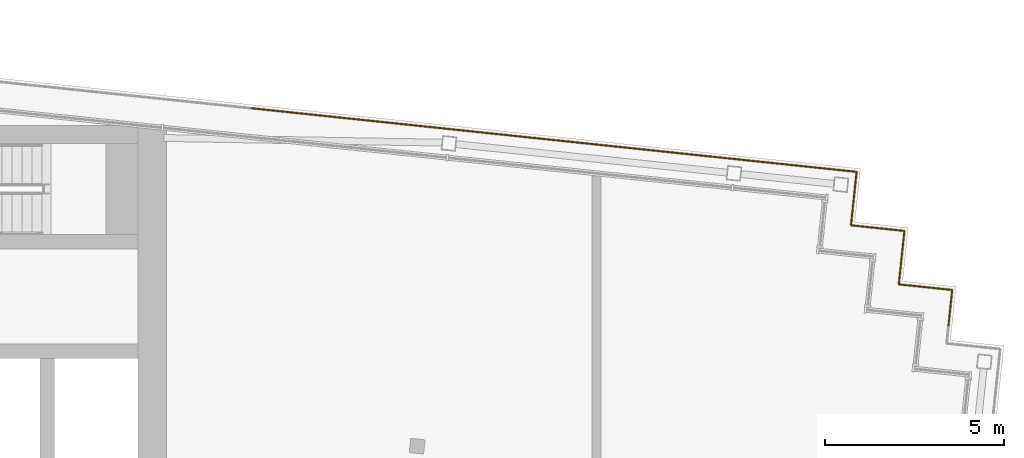
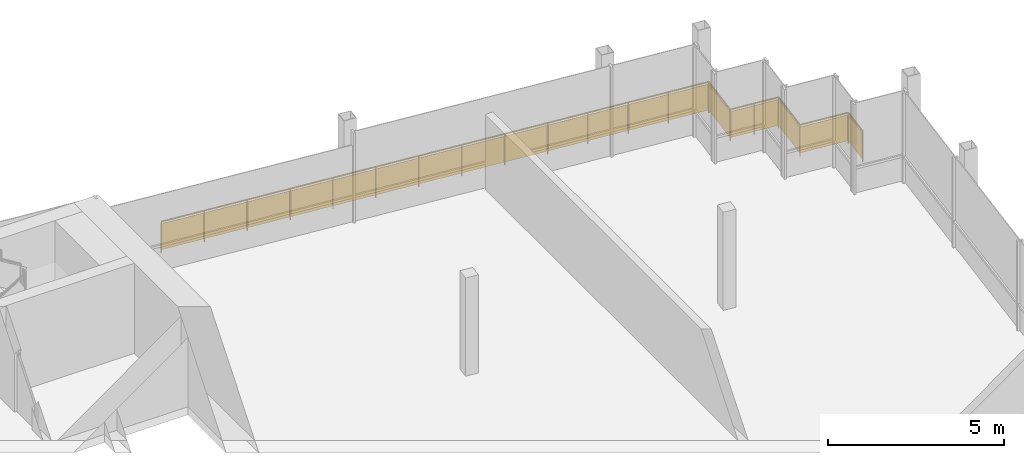
# One storey, part 15 of 15: 2 railings.
"""IFC4 building model written with IfcOpenShell, lengths in metres."""

from ifc_helpers import new_model, si_unit, direction, frame, origin, origin_2d, place, context, subcontext, project, spatial, rectangle, circle, extrude, material, type_object, element, save


model = new_model("IFC4")

# Units and contexts
model_context = context("Model", 3, precision=1e-05, world=origin(), true_north=direction((0.0, 1.0)))
body_context = subcontext(model_context, "Body", "Model", "MODEL_VIEW")
ifc_project = project(units=[si_unit("LENGTHUNIT", "METRE"), si_unit("AREAUNIT", "SQUARE_METRE"), si_unit("VOLUMEUNIT", "CUBIC_METRE"), si_unit("PLANEANGLEUNIT", "RADIAN"), si_unit("MASSUNIT", "GRAM", prefix="KILO")], contexts=[model_context])

# Site, building, storey
site_placement = place(None, origin())
site = spatial("IfcSite", under=ifc_project, at=site_placement, CompositionType="ELEMENT")
building_placement = place(site_placement, origin())
building = spatial("IfcBuilding", under=site, at=building_placement, Name="Vidyagriha Tower", CompositionType="ELEMENT")
storey_placement = place(building_placement, frame((0.0, 0.0, 291.5)))
storey = spatial("IfcBuildingStorey", under=building, at=storey_placement, Name="L75", CompositionType="ELEMENT", Elevation=291.5)

# Railings
ifc_material = material(Name="Steel ASTM A500 Grade C black painted", Category="steel")
railing_type = type_object("IfcRailingType", Name="Gallery guard 1100", PredefinedType="GUARDRAIL", material=ifc_material)
railing_1_placement = place(storey_placement, frame((12.3544921875, 20.481689453125, 0.0)))
element("IfcRailing", 1, at=railing_1_placement, inside=storey, type_object=railing_type, Name="Gallery guard L75 12", PredefinedType="GUARDRAIL", context=body_context, shape_type="SweptSolid", body=[
    extrude(circle(Radius=0.02490234375, at=origin_2d()), frame((0.0, 0.0, 1.0751953125), z_axis=(0.994521494219, -0.104532279878, 0.0), x_axis=(0.104532279878, 0.994521494219, 0.0)), (0.0, 0.0, 1.0), 12.0),
    extrude(circle(Radius=0.02001953125, at=origin_2d()), origin(), (0.0, 0.0, 1.0), 1.050048828125),
    extrude(circle(Radius=0.02001953125, at=origin_2d()), frame((1.325927734375, -0.139404296875, 0.0)), (0.0, 0.0, 1.0), 1.050048828125),
    extrude(circle(Radius=0.02001953125, at=origin_2d()), frame((2.652099609375, -0.27880859375, 0.0)), (0.0, 0.0, 1.0), 1.050048828125),
    extrude(circle(Radius=0.02001953125, at=origin_2d()), frame((3.97802734375, -0.418212890625, 0.0)), (0.0, 0.0, 1.0), 1.050048828125),
    extrude(circle(Radius=0.02001953125, at=origin_2d()), frame((5.30419921875, -0.5576171875, 0.0)), (0.0, 0.0, 1.0), 1.050048828125),
    extrude(circle(Radius=0.02001953125, at=origin_2d()), frame((6.630126953125, -0.69677734375, 0.0)), (0.0, 0.0, 1.0), 1.050048828125),
    extrude(circle(Radius=0.02001953125, at=origin_2d()), frame((7.956298828125, -0.836181640625, 0.0)), (0.0, 0.0, 1.0), 1.050048828125),
    extrude(circle(Radius=0.02001953125, at=origin_2d()), frame((9.2822265625, -0.9755859375, 0.0)), (0.0, 0.0, 1.0), 1.050048828125),
    extrude(circle(Radius=0.02001953125, at=origin_2d()), frame((10.6083984375, -1.114990234375, 0.0)), (0.0, 0.0, 1.0), 1.050048828125),
    extrude(circle(Radius=0.02001953125, at=origin_2d()), frame((11.934326171875, -1.25439453125, 0.0)), (0.0, 0.0, 1.0), 1.050048828125),
    extrude(rectangle(XDim=0.010009765625, YDim=0.900146484375, at=origin_2d()), frame((0.0, 0.0, 0.550048828125), z_axis=(0.994521494219, -0.104532279878, 0.0), x_axis=(0.104532279878, 0.994521494219, 0.0)), (0.0, 0.0, 1.0), 12.0),
])
railing_2_placement = place(storey_placement, frame((24.288818359375, 19.227294921875, 0.0)))
element("IfcRailing", 2, at=railing_2_placement, inside=storey, type_object=railing_type, Name="Gallery guard L75 13", PredefinedType="GUARDRAIL", context=body_context, shape_type="SweptSolid", body=[
    extrude(circle(Radius=0.02490234375, at=origin_2d()), frame((0.0, 0.0, 1.0751953125), z_axis=(0.994520692635, -0.104539905878, 0.0), x_axis=(0.104539905878, 0.994520692635, 0.0)), (0.0, 0.0, 1.0), 5.0),
    extrude(circle(Radius=0.02490234375, at=origin_2d()), frame((4.97265625, -0.522705078125, 1.0751953125), z_axis=(-0.104659366031, -0.994508128223, 0.0), x_axis=(0.994508128223, -0.104659366031, 0.0)), (0.0, 0.0, 1.0), 1.5),
    extrude(circle(Radius=0.02490234375, at=origin_2d()), frame((4.815673828125, -2.014404296875, 1.0751953125), z_axis=(0.994509910675, -0.104642427191, 0.0), x_axis=(0.104642427191, 0.994509910675, 0.0)), (0.0, 0.0, 1.0), 1.500244140625),
    extrude(circle(Radius=0.02490234375, at=origin_2d()), frame((6.3076171875, -2.17138671875, 1.0751953125), z_axis=(-0.104498377516, -0.994525057048, 0.0), x_axis=(0.994525057048, -0.104498377516, 0.0)), (0.0, 0.0, 1.0), 1.5),
    extrude(circle(Radius=0.02490234375, at=origin_2d()), frame((6.15087890625, -3.6630859375, 1.0751953125), z_axis=(0.994525057048, -0.104498377516, 0.0), x_axis=(0.104498377516, 0.994525057048, 0.0)), (0.0, 0.0, 1.0), 1.5),
    extrude(circle(Radius=0.02490234375, at=origin_2d()), frame((7.642578125, -3.81982421875, 1.0751953125), z_axis=(-0.104481464157, -0.994526834051, 0.0), x_axis=(0.994526834051, -0.104481464157, 0.0)), (0.0, 0.0, 1.0), 1.0),
    extrude(circle(Radius=0.02001953125, at=origin_2d()), origin(), (0.0, 0.0, 1.0), 1.050048828125),
    extrude(circle(Radius=0.02001953125, at=origin_2d()), frame((1.2431640625, -0.130615234375, 0.0)), (0.0, 0.0, 1.0), 1.050048828125),
    extrude(circle(Radius=0.02001953125, at=origin_2d()), frame((2.486328125, -0.26123046875, 0.0)), (0.0, 0.0, 1.0), 1.050048828125),
    extrude(circle(Radius=0.02001953125, at=origin_2d()), frame((3.7294921875, -0.39208984375, 0.0)), (0.0, 0.0, 1.0), 1.050048828125),
    extrude(circle(Radius=0.02001953125, at=origin_2d()), frame((4.97265625, -0.522705078125, 0.0)), (0.0, 0.0, 1.0), 1.050048828125),
    extrude(circle(Radius=0.02001953125, at=origin_2d()), frame((4.815673828125, -2.014404296875, 0.0)), (0.0, 0.0, 1.0), 1.050048828125),
    extrude(circle(Radius=0.02001953125, at=origin_2d()), frame((5.5615234375, -2.0927734375, 0.0)), (0.0, 0.0, 1.0), 1.050048828125),
    extrude(circle(Radius=0.02001953125, at=origin_2d()), frame((6.3076171875, -2.17138671875, 0.0)), (0.0, 0.0, 1.0), 1.050048828125),
    extrude(circle(Radius=0.02001953125, at=origin_2d()), frame((6.15087890625, -3.6630859375, 0.0)), (0.0, 0.0, 1.0), 1.050048828125),
    extrude(circle(Radius=0.02001953125, at=origin_2d()), frame((7.642578125, -3.81982421875, 0.0)), (0.0, 0.0, 1.0), 1.050048828125),
    extrude(circle(Radius=0.02001953125, at=origin_2d()), frame((7.5380859375, -4.814453125, 0.0)), (0.0, 0.0, 1.0), 1.050048828125),
    extrude(rectangle(XDim=0.010009765625, YDim=0.900146484375, at=origin_2d()), frame((0.0, 0.0, 0.550048828125), z_axis=(0.994520692635, -0.104539905878, 0.0), x_axis=(0.104539905878, 0.994520692635, 0.0)), (0.0, 0.0, 1.0), 5.0),
    extrude(rectangle(XDim=0.010009765625, YDim=0.900146484375, at=origin_2d()), frame((4.97265625, -0.522705078125, 0.550048828125), z_axis=(-0.104659366031, -0.994508128223, 0.0), x_axis=(0.994508128223, -0.104659366031, 0.0)), (0.0, 0.0, 1.0), 1.5),
    extrude(rectangle(XDim=0.010009765625, YDim=0.900146484375, at=origin_2d()), frame((4.815673828125, -2.014404296875, 0.550048828125), z_axis=(0.994509910675, -0.104642427191, 0.0), x_axis=(0.104642427191, 0.994509910675, 0.0)), (0.0, 0.0, 1.0), 1.500244140625),
    extrude(rectangle(XDim=0.010009765625, YDim=0.900146484375, at=origin_2d()), frame((6.3076171875, -2.17138671875, 0.550048828125), z_axis=(-0.104498377516, -0.994525057048, 0.0), x_axis=(0.994525057048, -0.104498377516, 0.0)), (0.0, 0.0, 1.0), 1.5),
    extrude(rectangle(XDim=0.010009765625, YDim=0.900146484375, at=origin_2d()), frame((6.15087890625, -3.6630859375, 0.550048828125), z_axis=(0.994525057048, -0.104498377516, 0.0), x_axis=(0.104498377516, 0.994525057048, 0.0)), (0.0, 0.0, 1.0), 1.5),
    extrude(rectangle(XDim=0.010009765625, YDim=0.900146484375, at=origin_2d()), frame((7.642578125, -3.81982421875, 0.550048828125), z_axis=(-0.104481464157, -0.994526834051, 0.0), x_axis=(0.994526834051, -0.104481464157, 0.0)), (0.0, 0.0, 1.0), 1.0),
])

save(model, "model.ifc")
